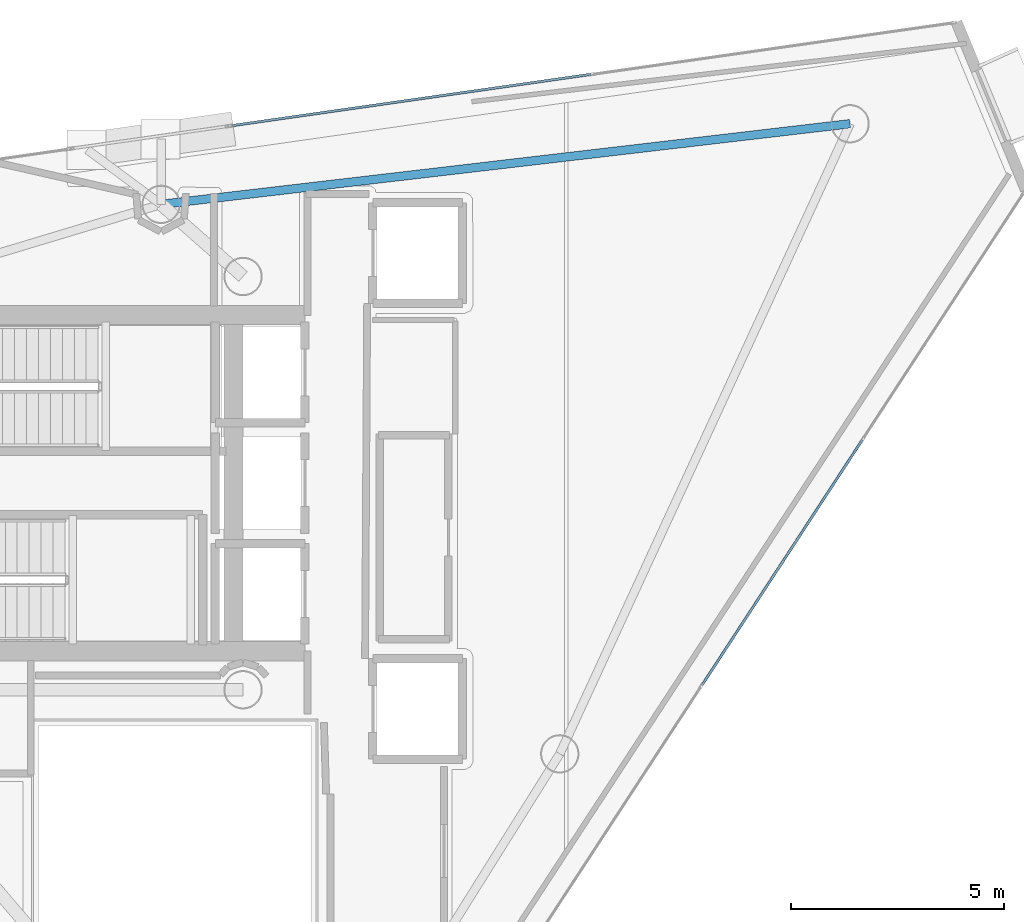
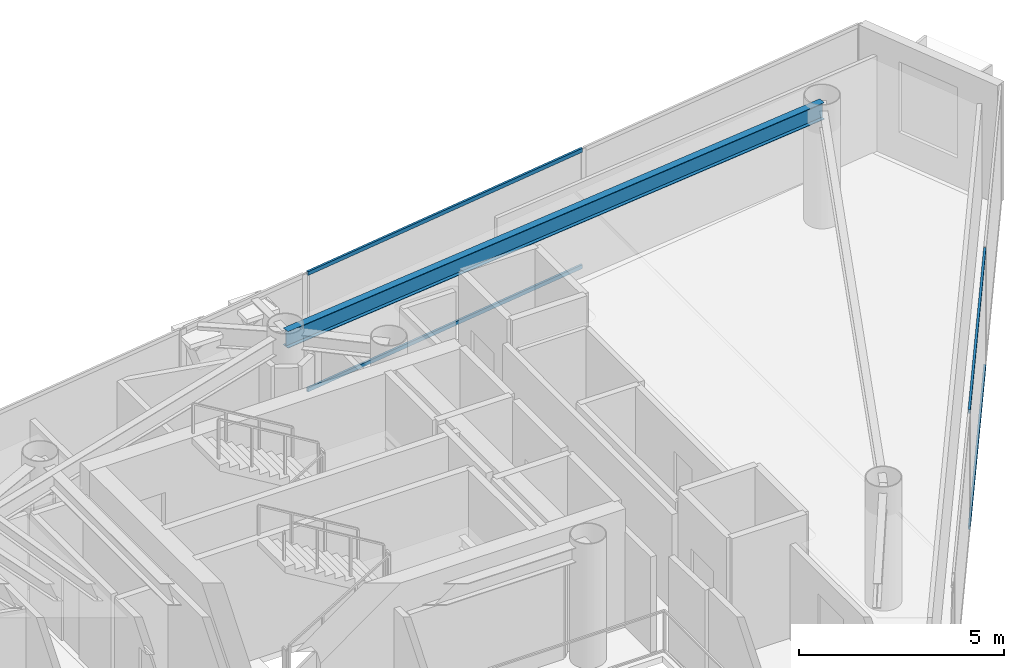
# One storey, part 17 of 25: 4 members, 1 beam, 2 elements without a shape of their own.
"""IFC4 building model written with IfcOpenShell, lengths in metres."""

from ifc_helpers import new_model, si_unit, direction, frame, origin, origin_2d, place, context, subcontext, project, spatial, hollow_rectangle, i_section, extrude, material, layer, layer_set, material_profile, profile_set, type_object, element, aggregate, save


model = new_model("IFC4")

# Units and contexts
model_context = context("Model", 3, precision=1e-05, world=origin(), true_north=direction((0.0, 1.0)))
body_context = subcontext(model_context, "Body", "Model", "MODEL_VIEW")
ifc_project = project(units=[si_unit("LENGTHUNIT", "METRE"), si_unit("AREAUNIT", "SQUARE_METRE"), si_unit("VOLUMEUNIT", "CUBIC_METRE"), si_unit("PLANEANGLEUNIT", "RADIAN"), si_unit("MASSUNIT", "GRAM", prefix="KILO")], contexts=[model_context])

# Site, building, storey
site_placement = place(None, origin())
site = spatial("IfcSite", under=ifc_project, at=site_placement, CompositionType="ELEMENT")
building_placement = place(site_placement, origin())
building = spatial("IfcBuilding", under=site, at=building_placement, Name="Qianvela Tower", CompositionType="ELEMENT")
storey_placement = place(building_placement, frame((0.0, 0.0, 288.0)))
storey = spatial("IfcBuildingStorey", under=building, at=storey_placement, Name="L74", CompositionType="ELEMENT", Elevation=288.0)

# Beam
ifc_material_1 = material(Name="Steel Q355B", Category="steel")
ifc_material_profile_1 = material_profile(ifc_material_1, i_section(OverallWidth=0.199951171875, OverallDepth=0.5, WebThickness=0.010009765625, FlangeThickness=0.01611328125, at=origin_2d()), Name="HN500x200x10x16")
ifc_profile_set_1 = profile_set([ifc_material_profile_1], Name="Steel Q355B")
beam_type = type_object("IfcBeamType", Name="BM-HN500-GIRD", PredefinedType="BEAM", material=ifc_profile_set_1)
beam_placement = place(storey_placement, frame((52.64794921875, 37.135009765625, 3.26806640625), z_axis=(-0.993225117092, -0.116206139153, 0.0), x_axis=(0.116206139153, -0.993225117092, 0.0)))
element("IfcBeam", 1, at=beam_placement, inside=storey, type_object=beam_type, Name="L74 Perimeter Ring Spandrel Girder 1", PredefinedType="BEAM", context=body_context, shape_type="SweptSolid", body=[
    extrude(i_section(OverallWidth=0.199951171875, OverallDepth=0.5, WebThickness=0.010009765625, FlangeThickness=0.01611328125, at=origin_2d()), origin(), (0.0, 0.0, 1.0), 16.2822265625),
])

# Curtain wall, members
ifc_material_2 = material(Name="Anodised Architectural Aluminium and Low-E Glass", Category="aluminium")
ifc_layer = layer(ifc_material_2, 0.14990234375)
ifc_layer_set = layer_set([ifc_layer], Name="Anodised Architectural Aluminium and Low-E Glass")
curtain_wall_type = type_object("IfcCurtainWallType", Name="CW-COLIV-Z78", PredefinedType="USERDEFINED", material=ifc_layer_set)
curtain_wall_1_placement = place(storey_placement, origin())
curtain_wall_1 = element("IfcCurtainWall", 2, at=curtain_wall_1_placement, inside=storey, type_object=curtain_wall_type, Name="L74 CW-COLIV-Z78 Curtain Wall 02A", ObjectType="CURTAIN_WALL_SYSTEM", PredefinedType="USERDEFINED")
ifc_material_3 = material(Name="Anodised Architectural Aluminium 6063-T6", Category="aluminium")
ifc_material_profile_2 = material_profile(ifc_material_3, hollow_rectangle(XDim=0.06005859375, YDim=0.114990234375, WallThickness=0.00390625, at=origin_2d()), Name="ALU-TRAN-60x115")
ifc_profile_set_2 = profile_set([ifc_material_profile_2], Name="Anodised Architectural Aluminium 6063-T6")
member_type = type_object("IfcMemberType", Name="CW-COLIV-Z78-TRAN", PredefinedType="USERDEFINED", material=ifc_profile_set_2)
member_1_placement = place(storey_placement, frame((46.5654296875, 38.294677734375, 0.030029296875), z_axis=(-0.989956959969, -0.141369082223, 0.0), x_axis=(0.141369082223, -0.989956959969, 0.0)))
member_1 = element("IfcMember", 3, at=member_1_placement, type_object=member_type, Name="CW-6 transom 2.1", ObjectType="TRANSOM", PredefinedType="USERDEFINED", context=body_context, shape_type="SweptSolid", body=[
    extrude(hollow_rectangle(XDim=0.06005859375, YDim=0.114990234375, WallThickness=0.00390625, at=origin_2d()), origin(), (0.0, 0.0, 1.0), 8.500244140625),
])
member_2_placement = place(storey_placement, frame((46.5654296875, 38.294677734375, 3.489990234375), z_axis=(-0.989956959969, -0.141369082223, 0.0), x_axis=(0.141369082223, -0.989956959969, 0.0)))
member_2 = element("IfcMember", 4, at=member_2_placement, type_object=member_type, Name="CW-6 transom 2.2", ObjectType="TRANSOM", PredefinedType="USERDEFINED", context=body_context, shape_type="SweptSolid", body=[
    extrude(hollow_rectangle(XDim=0.06005859375, YDim=0.114990234375, WallThickness=0.00390625, at=origin_2d()), origin(), (0.0, 0.0, 1.0), 8.500244140625),
])
aggregate(curtain_wall_1, [member_1, member_2])

curtain_wall_2_placement = place(storey_placement, origin())
curtain_wall_2 = element("IfcCurtainWall", 5, at=curtain_wall_2_placement, inside=storey, type_object=curtain_wall_type, Name="L74 CW-COLIV-Z78 Curtain Wall 06C", ObjectType="CURTAIN_WALL_SYSTEM", PredefinedType="USERDEFINED")
member_3_placement = place(storey_placement, frame((49.175048828125, 23.958984375, 0.030029296875), z_axis=(0.547072351003, 0.837085325859, 0.0), x_axis=(-0.837085325859, 0.547072351003, 0.0)))
member_3 = element("IfcMember", 6, at=member_3_placement, type_object=member_type, Name="CW-6 transom 3.1", ObjectType="TRANSOM", PredefinedType="USERDEFINED", context=body_context, shape_type="SweptSolid", body=[
    extrude(hollow_rectangle(XDim=0.06005859375, YDim=0.114990234375, WallThickness=0.00390625, at=origin_2d()), origin(), (0.0, 0.0, 1.0), 6.875244140625),
])
member_4_placement = place(storey_placement, frame((49.175048828125, 23.958984375, 3.489990234375), z_axis=(0.547072351003, 0.837085325859, 0.0), x_axis=(-0.837085325859, 0.547072351003, 0.0)))
member_4 = element("IfcMember", 7, at=member_4_placement, type_object=member_type, Name="CW-6 transom 3.2", ObjectType="TRANSOM", PredefinedType="USERDEFINED", context=body_context, shape_type="SweptSolid", body=[
    extrude(hollow_rectangle(XDim=0.06005859375, YDim=0.114990234375, WallThickness=0.00390625, at=origin_2d()), origin(), (0.0, 0.0, 1.0), 6.875244140625),
])
aggregate(curtain_wall_2, [member_3, member_4])

save(model, "model.ifc")
